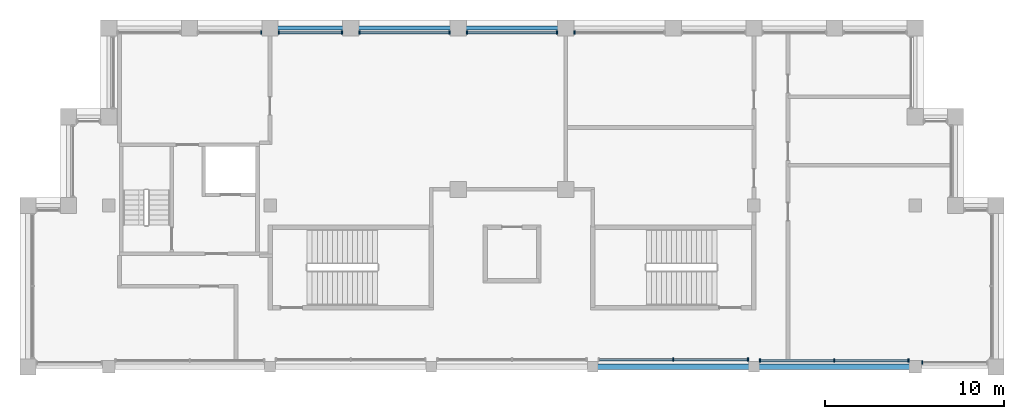
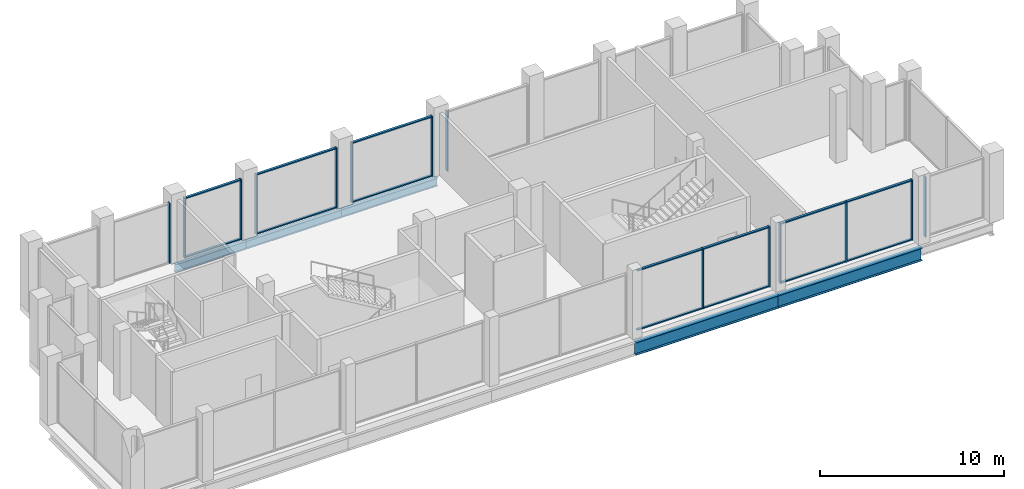
# One storey, part 3 of 8: 28 members, 5 beams, 8 elements without a shape of their own.
"""IFC4 building model written with IfcOpenShell, lengths in metres."""

import ifcopenshell
import ifcopenshell.guid

model = None  # the IFC model being written
_history = None  # IfcOwnerHistory: only IFC2X3 demands one
_inside = {}  # id of a spatial element -> (the spatial element, [elements in it])
_under = {}  # id of a project, library or spatial element -> (it, [spatial elements below it])
_declared = {}  # id of a project -> (the project, [libraries it declares])
_typed = {}  # id of a type object -> (the type object, [elements of that type])
_made_of = {}  # id of a material, layer set ... -> (it, [elements and type objects made of it])


def new_model(schema):
    """Start an empty IFC model of exactly this schema.

    Asked for "IFC4X3", IfcOpenShell would pick the latest addendum, in which some entities
    have other attributes; the version numbers below select the first issue.
    IFC2X3 requires an IfcOwnerHistory on every rooted entity: one is made here for all.
    """
    global model, _history
    if schema == "IFC4X3":
        model = ifcopenshell.file(schema_version=(4, 3, 0, 0))
    else:
        model = ifcopenshell.file(schema=schema)
    _inside.clear()
    _under.clear()
    _declared.clear()
    _typed.clear()
    _made_of.clear()
    _history = None
    if model.schema == "IFC2X3":
        org = make("IfcOrganization", Name="unknown")
        user = make(
            "IfcPersonAndOrganization",
            ThePerson=make("IfcPerson", FamilyName="unknown"),
            TheOrganization=org,
        )
        app = make(
            "IfcApplication",
            ApplicationDeveloper=org,
            Version="unknown",
            ApplicationFullName="unknown",
            ApplicationIdentifier="unknown",
        )
        _history = make(
            "IfcOwnerHistory",
            OwningUser=user,
            OwningApplication=app,
            ChangeAction="ADDED",
            CreationDate=0,
        )
    return model


def make(cls, **values):
    """One entity of the class cls with the attributes given. An attribute that is None is left unset."""
    return model.create_entity(
        cls, **{name: value for name, value in values.items() if value is not None}
    )


def rooted(cls, **values):
    """An entity with a GlobalId (a new one), such as an element, a storey or a relation."""
    return make(cls, GlobalId=ifcopenshell.guid.new(), OwnerHistory=_history, **values)


def si_unit(unit_type, name, prefix=None):
    """IfcSIUnit, for example si_unit("LENGTHUNIT", "METRE", prefix="MILLI")."""
    return make("IfcSIUnit", UnitType=unit_type, Prefix=prefix, Name=name)


def assignment(units):
    """IfcUnitAssignment: the units of a project."""
    return None if units is None else make("IfcUnitAssignment", Units=units)


def point(xyz):
    """IfcCartesianPoint."""
    return None if xyz is None else make("IfcCartesianPoint", Coordinates=xyz)


def direction(xyz):
    """IfcDirection."""
    return None if xyz is None else make("IfcDirection", DirectionRatios=xyz)


def frame(location, z_axis=None, x_axis=None):
    """IfcAxis2Placement3D, a coordinate frame: its origin and axes. An axis left out is left unset."""
    return make(
        "IfcAxis2Placement3D",
        Location=point(location),
        Axis=direction(z_axis),
        RefDirection=direction(x_axis),
    )


def frame_2d(location, x_axis=None):
    """IfcAxis2Placement2D, a coordinate frame in the plane: its origin and x axis."""
    return make(
        "IfcAxis2Placement2D", Location=point(location), RefDirection=direction(x_axis)
    )


def origin():
    """The frame at (0, 0, 0) with its axes left unset."""
    return frame((0.0, 0.0, 0.0))


def origin_2d():
    """The frame at (0, 0) in the plane with its x axis left unset."""
    return frame_2d((0.0, 0.0))


def place(relative_to, where):
    """IfcLocalPlacement: puts the frame where relative to a parent placement (None: the world)."""
    return make(
        "IfcLocalPlacement", PlacementRelTo=relative_to, RelativePlacement=where
    )


def context(
    kind, dimensions, precision=None, world=None, true_north=None, identifier=None
):
    """IfcGeometricRepresentationContext, for example the 3D "Model" context."""
    return make(
        "IfcGeometricRepresentationContext",
        ContextIdentifier=identifier,
        ContextType=kind,
        CoordinateSpaceDimension=dimensions,
        Precision=precision,
        WorldCoordinateSystem=world,
        TrueNorth=true_north,
    )


def subcontext(parent, identifier, kind, view, scale=None):
    """IfcGeometricRepresentationSubContext, for example "Body" below "Model"."""
    return make(
        "IfcGeometricRepresentationSubContext",
        ContextIdentifier=identifier,
        ContextType=kind,
        ParentContext=parent,
        TargetScale=scale,
        TargetView=view,
    )


def project(units=None, contexts=None):
    """IfcProject with its units and contexts."""
    return rooted(
        "IfcProject",
        Name="project",
        RepresentationContexts=contexts,
        UnitsInContext=assignment(units),
    )


def spatial(cls, under=None, at=None, **own):
    """A site, building, storey or space (cls), placed at a placement, below another one or the project."""
    s = rooted(cls, ObjectPlacement=at, **own)
    if under is not None:
        _under.setdefault(under.id(), (under, []))[1].append(s)
    return s


def profile(cls, at=None, kind="AREA", **sizes):
    """A parametric profile (cls). Its sizes go by their IFC names, for example OverallWidth=200.0."""
    return make(cls, ProfileType=kind, Position=at, **sizes)


def rectangle(**sizes):
    """IfcRectangleProfileDef."""
    return profile("IfcRectangleProfileDef", **sizes)


def i_section(**sizes):
    """IfcIShapeProfileDef."""
    return profile("IfcIShapeProfileDef", **sizes)


def extrude(swept, where, along, depth):
    """IfcExtrudedAreaSolid: the profile swept, set in the frame where, extruded along a direction by depth."""
    return make(
        "IfcExtrudedAreaSolid",
        SweptArea=swept,
        Position=where,
        ExtrudedDirection=direction(along),
        Depth=depth,
    )


def shape(context_of_items, identifier, shape_type, items):
    """IfcShapeRepresentation: the items that make up one representation, for example the "Body"."""
    return make(
        "IfcShapeRepresentation",
        ContextOfItems=context_of_items,
        RepresentationIdentifier=identifier,
        RepresentationType=shape_type,
        Items=items,
    )


def material(Name=None, Category=None):
    """IfcMaterial."""
    return make("IfcMaterial", Name=Name, Category=Category)


def layer(
    of_material, thickness, ventilated=None, Name=None, Category=None, Priority=None
):
    """IfcMaterialLayer: one layer of a wall or slab, of a material (None: an air gap)."""
    return make(
        "IfcMaterialLayer",
        Material=of_material,
        LayerThickness=thickness,
        IsVentilated=ventilated,
        Name=Name,
        Category=Category,
        Priority=Priority,
    )


def layer_set(layers, Name=None):
    """IfcMaterialLayerSet."""
    return make("IfcMaterialLayerSet", MaterialLayers=layers, LayerSetName=Name)


def material_profile(
    of_material, cross_section, Name=None, Category=None, Priority=None
):
    """IfcMaterialProfile: a cross section and its material."""
    return make(
        "IfcMaterialProfile",
        Name=Name,
        Material=of_material,
        Profile=cross_section,
        Priority=Priority,
        Category=Category,
    )


def profile_set(profiles, Name=None, composite=None):
    """IfcMaterialProfileSet."""
    return make(
        "IfcMaterialProfileSet",
        Name=Name,
        MaterialProfiles=profiles,
        CompositeProfile=composite,
    )


def made_of(thing, what):
    """Note that an element or type object is made of a material, layer set ...; save() writes the relation."""
    if what is not None:
        _made_of.setdefault(what.id(), (what, []))[1].append(thing)
    return thing


def type_object(cls, material=None, **own):
    """A type object (cls), such as IfcWallType, which elements share."""
    return made_of(rooted(cls, **own), material)


def element(
    cls,
    number,
    at=None,
    inside=None,
    cuts=None,
    type_object=None,
    material=None,
    context=None,
    identifier="Body",
    shape_type=None,
    held_by="IfcProductDefinitionShape",
    body=None,
    shapes=None,
    **own,
):
    """One element of the class cls, such as IfcWall. Its Tag is "e" and its number.

    at: its placement. inside: the storey or other place that contains it. cuts: it is an
    opening in that element (IfcRelVoidsElement). A single representation is given by context,
    identifier, shape_type and body (its items); several are given by shapes. held_by: the class
    of the entity that holds the representations. save() writes the other relations.
    """
    e = rooted(cls, Tag="e%d" % number, ObjectPlacement=at, **own)
    if body is not None:
        shapes = [shape(context, identifier, shape_type, body)]
    if shapes is not None:
        e.Representation = make(held_by, Representations=shapes)
    if inside is not None:
        _inside.setdefault(inside.id(), (inside, []))[1].append(e)
    if cuts is not None:
        rooted(
            "IfcRelVoidsElement", RelatingBuildingElement=cuts, RelatedOpeningElement=e
        )
    if type_object is not None:
        _typed.setdefault(type_object.id(), (type_object, []))[1].append(e)
    return made_of(e, material)


def aggregate(whole, parts):
    """IfcRelAggregates: a whole, such as a stair, and the parts it consists of."""
    return rooted("IfcRelAggregates", RelatingObject=whole, RelatedObjects=parts)


def save(model, path):
    """Write the relations noted so far, then the file.

    IfcRelAggregates (storeys below a building ...), IfcRelContainedInSpatialStructure (elements
    in a storey), IfcRelDefinesByType, IfcRelAssociatesMaterial and IfcRelDeclares: one each for
    every whole, place, type object, material and project.
    """
    for whole, parts in _under.values():
        aggregate(whole, parts)
    for where, things in _inside.values():
        rooted(
            "IfcRelContainedInSpatialStructure",
            RelatedElements=things,
            RelatingStructure=where,
        )
    for kind, things in _typed.values():
        rooted("IfcRelDefinesByType", RelatedObjects=things, RelatingType=kind)
    for what, things in _made_of.values():
        rooted("IfcRelAssociatesMaterial", RelatedObjects=things, RelatingMaterial=what)
    for by, libraries in _declared.values():
        rooted("IfcRelDeclares", RelatingContext=by, RelatedDefinitions=libraries)
    model.write(path)


model = new_model("IFC4")

# Units and contexts
model_context = context("Model", 3, precision=1e-05, world=origin(), true_north=direction((0.0, 1.0)))
body_context = subcontext(model_context, "Body", "Model", "MODEL_VIEW")
ifc_project = project(units=[si_unit("LENGTHUNIT", "METRE"), si_unit("AREAUNIT", "SQUARE_METRE"), si_unit("VOLUMEUNIT", "CUBIC_METRE"), si_unit("PLANEANGLEUNIT", "RADIAN"), si_unit("MASSUNIT", "GRAM", prefix="KILO")], contexts=[model_context])

# Site, building, storey
site_placement = place(None, origin())
site = spatial("IfcSite", under=ifc_project, at=site_placement, CompositionType="ELEMENT")
building_placement = place(site_placement, origin())
building = spatial("IfcBuilding", under=site, at=building_placement, Name="Corbelhall Arena Tower", CompositionType="ELEMENT")
storey_placement = place(building_placement, frame((0.0, 0.0, 381.0)))
storey = spatial("IfcBuildingStorey", under=building, at=storey_placement, Name="L82", CompositionType="ELEMENT", Elevation=381.0)

# Curtain wall, members
ifc_material_1 = material(Name="Aluminium black anodised", Category="aluminium")
ifc_layer = layer(ifc_material_1, 0.179931640625)
ifc_layer_set = layer_set([ifc_layer], Name="EV-CW3 Crown glazing")
curtain_wall_type = type_object("IfcCurtainWallType", Name="EV-CW3 Crown glazing", PredefinedType="NOTDEFINED", material=ifc_layer_set)
curtain_wall_1_placement = place(storey_placement, origin())
curtain_wall_1 = element("IfcCurtainWall", 1, at=curtain_wall_1_placement, inside=storey, type_object=curtain_wall_type, Name="Curtain wall CW3D", PredefinedType="NOTDEFINED")
ifc_material_profile_1 = material_profile(ifc_material_1, rectangle(XDim=0.199951171875, YDim=0.074951171875, at=origin_2d()))
ifc_profile_set_1 = profile_set([ifc_material_profile_1], Name="Aluminium black anodised")
member_type_1 = type_object("IfcMemberType", Name="EV-CW3-MULLION", PredefinedType="MULLION", material=ifc_profile_set_1)
member_1_placement = place(storey_placement, frame((9.0, 9.39990234375, 0.0), z_axis=(0.0, 0.0, 1.0), x_axis=(0.0, 1.0, 0.0)))
member_1 = element("IfcMember", 2, at=member_1_placement, type_object=member_type_1, Name="CW3D mullion 2", PredefinedType="MULLION", context=body_context, shape_type="SweptSolid", body=[
    extrude(rectangle(XDim=0.199951171875, YDim=0.074951171875, at=origin_2d()), origin(), (0.0, 0.0, 1.0), 3.99951171875),
])
member_2_placement = place(storey_placement, frame((13.16259765625, 9.39990234375, 0.0), z_axis=(0.0, 0.0, 1.0), x_axis=(0.0, 1.0, 0.0)))
member_2 = element("IfcMember", 3, at=member_2_placement, type_object=member_type_1, Name="CW3D mullion 3", PredefinedType="MULLION", context=body_context, shape_type="SweptSolid", body=[
    extrude(rectangle(XDim=0.199951171875, YDim=0.074951171875, at=origin_2d()), origin(), (0.0, 0.0, 1.0), 3.99951171875),
])

curtain_wall_2_placement = place(storey_placement, origin())
curtain_wall_2 = element("IfcCurtainWall", 4, at=curtain_wall_2_placement, inside=storey, type_object=curtain_wall_type, Name="Curtain wall CW3F", PredefinedType="NOTDEFINED")
member_3_placement = place(storey_placement, frame((13.83740234375, 9.35009765625, 0.0), z_axis=(0.0, 0.0, 1.0), x_axis=(0.0, 1.0, 0.0)))
member_3 = element("IfcMember", 5, at=member_3_placement, type_object=member_type_1, Name="CW3F mullion 1", PredefinedType="MULLION", context=body_context, shape_type="SweptSolid", body=[
    extrude(rectangle(XDim=0.199951171875, YDim=0.074951171875, at=origin_2d()), origin(), (0.0, 0.0, 1.0), 3.99951171875),
])
member_4_placement = place(storey_placement, frame((17.97509765625, 9.35009765625, 0.0), z_axis=(0.0, 0.0, 1.0), x_axis=(0.0, 1.0, 0.0)))
member_4 = element("IfcMember", 6, at=member_4_placement, type_object=member_type_1, Name="CW3F mullion 2", PredefinedType="MULLION", context=body_context, shape_type="SweptSolid", body=[
    extrude(rectangle(XDim=0.199951171875, YDim=0.074951171875, at=origin_2d()), origin(), (0.0, 0.0, 1.0), 3.99951171875),
])
member_5_placement = place(storey_placement, frame((22.112548828125, 9.35009765625, 0.0), z_axis=(0.0, 0.0, 1.0), x_axis=(0.0, 1.0, 0.0)))
member_5 = element("IfcMember", 7, at=member_5_placement, type_object=member_type_1, Name="CW3F mullion 3", PredefinedType="MULLION", context=body_context, shape_type="SweptSolid", body=[
    extrude(rectangle(XDim=0.199951171875, YDim=0.074951171875, at=origin_2d()), origin(), (0.0, 0.0, 1.0), 3.99951171875),
])

# Curtain wall, member
curtain_wall_3_placement = place(storey_placement, origin())
curtain_wall_3 = element("IfcCurtainWall", 8, at=curtain_wall_3_placement, inside=storey, type_object=curtain_wall_type, Name="Curtain wall CW3E", PredefinedType="NOTDEFINED")
member_6_placement = place(storey_placement, frame((22.887451171875, 9.25, 0.0), z_axis=(0.0, 0.0, 1.0), x_axis=(0.0, 1.0, 0.0)))
member_6 = element("IfcMember", 9, at=member_6_placement, type_object=member_type_1, Name="CW3E mullion 1", PredefinedType="MULLION", context=body_context, shape_type="SweptSolid", body=[
    extrude(rectangle(XDim=0.199951171875, YDim=0.074951171875, at=origin_2d()), origin(), (0.0, 0.0, 1.0), 3.99951171875),
])
aggregate(curtain_wall_3, [member_6])

curtain_wall_4_placement = place(storey_placement, origin())
curtain_wall_4 = element("IfcCurtainWall", 10, at=curtain_wall_4_placement, inside=storey, type_object=curtain_wall_type, Name="Curtain wall CW3C", PredefinedType="NOTDEFINED")
member_7_placement = place(storey_placement, frame((3.487548828125, 27.64990234375, 0.0), z_axis=(0.0, 0.0, 1.0), x_axis=(0.0, -1.0, 0.0)))
member_7 = element("IfcMember", 11, at=member_7_placement, type_object=member_type_1, Name="CW3C mullion 2", PredefinedType="MULLION", context=body_context, shape_type="SweptSolid", body=[
    extrude(rectangle(XDim=0.199951171875, YDim=0.074951171875, at=origin_2d()), origin(), (0.0, 0.0, 1.0), 3.99951171875),
])
aggregate(curtain_wall_4, [member_7])

# Curtain wall, members
curtain_wall_5_placement = place(storey_placement, origin())
curtain_wall_5 = element("IfcCurtainWall", 12, at=curtain_wall_5_placement, inside=storey, type_object=curtain_wall_type, Name="Curtain wall CW3C", PredefinedType="NOTDEFINED")
member_8_placement = place(storey_placement, frame((2.512451171875, 27.64990234375, 0.0), z_axis=(0.0, 0.0, 1.0), x_axis=(0.0, -1.0, 0.0)))
member_8 = element("IfcMember", 13, at=member_8_placement, type_object=member_type_1, Name="CW3C mullion 1", PredefinedType="MULLION", context=body_context, shape_type="SweptSolid", body=[
    extrude(rectangle(XDim=0.199951171875, YDim=0.074951171875, at=origin_2d()), origin(), (0.0, 0.0, 1.0), 3.99951171875),
])
member_9_placement = place(storey_placement, frame((-2.512451171875, 27.64990234375, 0.0), z_axis=(0.0, 0.0, 1.0), x_axis=(0.0, -1.0, 0.0)))
member_9 = element("IfcMember", 14, at=member_9_placement, type_object=member_type_1, Name="CW3C mullion 2", PredefinedType="MULLION", context=body_context, shape_type="SweptSolid", body=[
    extrude(rectangle(XDim=0.199951171875, YDim=0.074951171875, at=origin_2d()), origin(), (0.0, 0.0, 1.0), 3.99951171875),
])

curtain_wall_6_placement = place(storey_placement, origin())
curtain_wall_6 = element("IfcCurtainWall", 15, at=curtain_wall_6_placement, inside=storey, type_object=curtain_wall_type, Name="Curtain wall CW3C", PredefinedType="NOTDEFINED")
member_10_placement = place(storey_placement, frame((-3.487548828125, 27.64990234375, 0.0), z_axis=(0.0, 0.0, 1.0), x_axis=(0.0, -1.0, 0.0)))
member_10 = element("IfcMember", 16, at=member_10_placement, type_object=member_type_1, Name="CW3C mullion 1", PredefinedType="MULLION", context=body_context, shape_type="SweptSolid", body=[
    extrude(rectangle(XDim=0.199951171875, YDim=0.074951171875, at=origin_2d()), origin(), (0.0, 0.0, 1.0), 3.99951171875),
])
member_11_placement = place(storey_placement, frame((-8.512451171875, 27.64990234375, 0.0), z_axis=(0.0, 0.0, 1.0), x_axis=(0.0, -1.0, 0.0)))
member_11 = element("IfcMember", 17, at=member_11_placement, type_object=member_type_1, Name="CW3C mullion 2", PredefinedType="MULLION", context=body_context, shape_type="SweptSolid", body=[
    extrude(rectangle(XDim=0.199951171875, YDim=0.074951171875, at=origin_2d()), origin(), (0.0, 0.0, 1.0), 3.99951171875),
])

curtain_wall_7_placement = place(storey_placement, origin())
curtain_wall_7 = element("IfcCurtainWall", 18, at=curtain_wall_7_placement, inside=storey, type_object=curtain_wall_type, Name="Curtain wall CW3A", PredefinedType="NOTDEFINED")
member_12_placement = place(storey_placement, frame((-9.487548828125, 27.64990234375, 0.0), z_axis=(0.0, 0.0, 1.0), x_axis=(0.0, -1.0, 0.0)))
member_12 = element("IfcMember", 19, at=member_12_placement, type_object=member_type_1, Name="CW3A mullion 1", PredefinedType="MULLION", context=body_context, shape_type="SweptSolid", body=[
    extrude(rectangle(XDim=0.199951171875, YDim=0.074951171875, at=origin_2d()), origin(), (0.0, 0.0, 1.0), 3.99951171875),
])
member_13_placement = place(storey_placement, frame((-13.012451171875, 27.64990234375, 0.0), z_axis=(0.0, 0.0, 1.0), x_axis=(0.0, -1.0, 0.0)))
member_13 = element("IfcMember", 20, at=member_13_placement, type_object=member_type_1, Name="CW3A mullion 2", PredefinedType="MULLION", context=body_context, shape_type="SweptSolid", body=[
    extrude(rectangle(XDim=0.199951171875, YDim=0.074951171875, at=origin_2d()), origin(), (0.0, 0.0, 1.0), 3.99951171875),
])

# Curtain wall, member
curtain_wall_8_placement = place(storey_placement, origin())
curtain_wall_8 = element("IfcCurtainWall", 21, at=curtain_wall_8_placement, inside=storey, type_object=curtain_wall_type, Name="Curtain wall CW3A", PredefinedType="NOTDEFINED")
member_14_placement = place(storey_placement, frame((-13.987548828125, 27.64990234375, 0.0), z_axis=(0.0, 0.0, 1.0), x_axis=(0.0, -1.0, 0.0)))
member_14 = element("IfcMember", 22, at=member_14_placement, type_object=member_type_1, Name="CW3A mullion 1", PredefinedType="MULLION", context=body_context, shape_type="SweptSolid", body=[
    extrude(rectangle(XDim=0.199951171875, YDim=0.074951171875, at=origin_2d()), origin(), (0.0, 0.0, 1.0), 3.99951171875),
])
aggregate(curtain_wall_8, [member_14])

# Member
ifc_material_profile_2 = material_profile(ifc_material_1, rectangle(XDim=0.14990234375, YDim=0.074951171875, at=origin_2d()))
ifc_profile_set_2 = profile_set([ifc_material_profile_2], Name="Aluminium black anodised")
member_type_2 = type_object("IfcMemberType", Name="EV-CW3-TRANSOM", PredefinedType="USERDEFINED", material=ifc_profile_set_2)
member_15_placement = place(storey_placement, frame((4.875, 9.39990234375, 0.03759765625), z_axis=(1.0, 0.0, 0.0), x_axis=(0.0, 1.0, 0.0)))
member_15 = element("IfcMember", 23, at=member_15_placement, type_object=member_type_2, Name="CW3D transom 1.1", ObjectType="transom", PredefinedType="USERDEFINED", context=body_context, shape_type="SweptSolid", body=[
    extrude(rectangle(XDim=0.14990234375, YDim=0.074951171875, at=origin_2d()), origin(), (0.0, 0.0, 1.0), 4.08740234375),
])

member_16_placement = place(storey_placement, frame((4.875, 9.39990234375, 3.962158203125), z_axis=(1.0, 0.0, 0.0), x_axis=(0.0, 1.0, 0.0)))
member_16 = element("IfcMember", 24, at=member_16_placement, type_object=member_type_2, Name="CW3D transom 1.2", ObjectType="transom", PredefinedType="USERDEFINED", context=body_context, shape_type="SweptSolid", body=[
    extrude(rectangle(XDim=0.14990234375, YDim=0.074951171875, at=origin_2d()), origin(), (0.0, 0.0, 1.0), 4.08740234375),
])

member_17_placement = place(storey_placement, frame((9.03759765625, 9.39990234375, 0.03759765625), z_axis=(1.0, 0.0, 0.0), x_axis=(0.0, 1.0, 0.0)))
member_17 = element("IfcMember", 25, at=member_17_placement, type_object=member_type_2, Name="CW3D transom 2.1", ObjectType="transom", PredefinedType="USERDEFINED", context=body_context, shape_type="SweptSolid", body=[
    extrude(rectangle(XDim=0.14990234375, YDim=0.074951171875, at=origin_2d()), origin(), (0.0, 0.0, 1.0), 4.08740234375),
])

member_18_placement = place(storey_placement, frame((9.03759765625, 9.39990234375, 3.962158203125), z_axis=(1.0, 0.0, 0.0), x_axis=(0.0, 1.0, 0.0)))
member_18 = element("IfcMember", 26, at=member_18_placement, type_object=member_type_2, Name="CW3D transom 2.2", ObjectType="transom", PredefinedType="USERDEFINED", context=body_context, shape_type="SweptSolid", body=[
    extrude(rectangle(XDim=0.14990234375, YDim=0.074951171875, at=origin_2d()), origin(), (0.0, 0.0, 1.0), 4.08740234375),
])

aggregate(curtain_wall_1, [member_1, member_2, member_15, member_16, member_17, member_18])

member_19_placement = place(storey_placement, frame((13.875, 9.35009765625, 0.03759765625), z_axis=(1.0, 0.0, 0.0), x_axis=(0.0, 1.0, 0.0)))
member_19 = element("IfcMember", 27, at=member_19_placement, type_object=member_type_2, Name="CW3F transom 1.1", ObjectType="transom", PredefinedType="USERDEFINED", context=body_context, shape_type="SweptSolid", body=[
    extrude(rectangle(XDim=0.14990234375, YDim=0.074951171875, at=origin_2d()), origin(), (0.0, 0.0, 1.0), 4.0625),
])

member_20_placement = place(storey_placement, frame((13.875, 9.35009765625, 3.962158203125), z_axis=(1.0, 0.0, 0.0), x_axis=(0.0, 1.0, 0.0)))
member_20 = element("IfcMember", 28, at=member_20_placement, type_object=member_type_2, Name="CW3F transom 1.2", ObjectType="transom", PredefinedType="USERDEFINED", context=body_context, shape_type="SweptSolid", body=[
    extrude(rectangle(XDim=0.14990234375, YDim=0.074951171875, at=origin_2d()), origin(), (0.0, 0.0, 1.0), 4.0625),
])

member_21_placement = place(storey_placement, frame((18.012451171875, 9.35009765625, 0.03759765625), z_axis=(1.0, 0.0, 0.0), x_axis=(0.0, 1.0, 0.0)))
member_21 = element("IfcMember", 29, at=member_21_placement, type_object=member_type_2, Name="CW3F transom 2.1", ObjectType="transom", PredefinedType="USERDEFINED", context=body_context, shape_type="SweptSolid", body=[
    extrude(rectangle(XDim=0.14990234375, YDim=0.074951171875, at=origin_2d()), origin(), (0.0, 0.0, 1.0), 4.0625),
])

member_22_placement = place(storey_placement, frame((18.012451171875, 9.35009765625, 3.962158203125), z_axis=(1.0, 0.0, 0.0), x_axis=(0.0, 1.0, 0.0)))
member_22 = element("IfcMember", 30, at=member_22_placement, type_object=member_type_2, Name="CW3F transom 2.2", ObjectType="transom", PredefinedType="USERDEFINED", context=body_context, shape_type="SweptSolid", body=[
    extrude(rectangle(XDim=0.14990234375, YDim=0.074951171875, at=origin_2d()), origin(), (0.0, 0.0, 1.0), 4.0625),
])

aggregate(curtain_wall_2, [member_3, member_4, member_5, member_19, member_20, member_21, member_22])

member_23_placement = place(storey_placement, frame((2.47509765625, 27.64990234375, 0.03759765625), z_axis=(-1.0, 0.0, 0.0), x_axis=(0.0, -1.0, 0.0)))
member_23 = element("IfcMember", 31, at=member_23_placement, type_object=member_type_2, Name="CW3C transom 1.1", ObjectType="transom", PredefinedType="USERDEFINED", context=body_context, shape_type="SweptSolid", body=[
    extrude(rectangle(XDim=0.14990234375, YDim=0.074951171875, at=origin_2d()), origin(), (0.0, 0.0, 1.0), 4.9501953125),
])

member_24_placement = place(storey_placement, frame((2.47509765625, 27.64990234375, 3.962158203125), z_axis=(-1.0, 0.0, 0.0), x_axis=(0.0, -1.0, 0.0)))
member_24 = element("IfcMember", 32, at=member_24_placement, type_object=member_type_2, Name="CW3C transom 1.2", ObjectType="transom", PredefinedType="USERDEFINED", context=body_context, shape_type="SweptSolid", body=[
    extrude(rectangle(XDim=0.14990234375, YDim=0.074951171875, at=origin_2d()), origin(), (0.0, 0.0, 1.0), 4.9501953125),
])

aggregate(curtain_wall_5, [member_8, member_9, member_23, member_24])

member_25_placement = place(storey_placement, frame((-3.52490234375, 27.64990234375, 0.03759765625), z_axis=(-1.0, 0.0, 0.0), x_axis=(0.0, -1.0, 0.0)))
member_25 = element("IfcMember", 33, at=member_25_placement, type_object=member_type_2, Name="CW3C transom 1.1", ObjectType="transom", PredefinedType="USERDEFINED", context=body_context, shape_type="SweptSolid", body=[
    extrude(rectangle(XDim=0.14990234375, YDim=0.074951171875, at=origin_2d()), origin(), (0.0, 0.0, 1.0), 4.9501953125),
])

member_26_placement = place(storey_placement, frame((-3.52490234375, 27.64990234375, 3.962158203125), z_axis=(-1.0, 0.0, 0.0), x_axis=(0.0, -1.0, 0.0)))
member_26 = element("IfcMember", 34, at=member_26_placement, type_object=member_type_2, Name="CW3C transom 1.2", ObjectType="transom", PredefinedType="USERDEFINED", context=body_context, shape_type="SweptSolid", body=[
    extrude(rectangle(XDim=0.14990234375, YDim=0.074951171875, at=origin_2d()), origin(), (0.0, 0.0, 1.0), 4.9501953125),
])

aggregate(curtain_wall_6, [member_10, member_11, member_25, member_26])

member_27_placement = place(storey_placement, frame((-9.52490234375, 27.64990234375, 0.03759765625), z_axis=(-1.0, 0.0, 0.0), x_axis=(0.0, -1.0, 0.0)))
member_27 = element("IfcMember", 35, at=member_27_placement, type_object=member_type_2, Name="CW3A transom 1.1", ObjectType="transom", PredefinedType="USERDEFINED", context=body_context, shape_type="SweptSolid", body=[
    extrude(rectangle(XDim=0.14990234375, YDim=0.074951171875, at=origin_2d()), origin(), (0.0, 0.0, 1.0), 3.4501953125),
])

member_28_placement = place(storey_placement, frame((-9.52490234375, 27.64990234375, 3.962158203125), z_axis=(-1.0, 0.0, 0.0), x_axis=(0.0, -1.0, 0.0)))
member_28 = element("IfcMember", 36, at=member_28_placement, type_object=member_type_2, Name="CW3A transom 1.2", ObjectType="transom", PredefinedType="USERDEFINED", context=body_context, shape_type="SweptSolid", body=[
    extrude(rectangle(XDim=0.14990234375, YDim=0.074951171875, at=origin_2d()), origin(), (0.0, 0.0, 1.0), 3.4501953125),
])

aggregate(curtain_wall_7, [member_12, member_13, member_27, member_28])

# Beams
ifc_material_2 = material(Name="Steel ASTM A992 Gr50", Category="steel")
ifc_material_profile_3 = material_profile(ifc_material_2, i_section(OverallWidth=0.2099609375, OverallDepth=0.535888671875, WebThickness=0.010986328125, FlangeThickness=0.017333984375, at=origin_2d()))
ifc_profile_set_3 = profile_set([ifc_material_profile_3], Name="Steel ASTM A992 Gr50")
beam_type_1 = type_object("IfcBeamType", Name="ST-SPANDREL-W21x68", PredefinedType="SPANDREL", material=ifc_profile_set_3)
for number, where, z_axis, x_axis, name in (
    (37, (-3.0, 27.89990234375, -0.66845703125), (1.0, 0.0, 0.0), (0.0, 1.0, 0.0), "Beam SP 14"),
    (38, (-9.0, 27.89990234375, -0.66845703125), (1.0, 0.0, 0.0), (0.0, 1.0, 0.0), "Beam SP 15"),
):
    element("IfcBeam", number, at=place(storey_placement, frame(where, z_axis=z_axis, x_axis=x_axis)), inside=storey, type_object=beam_type_1, Name=name, PredefinedType="SPANDREL", context=body_context, shape_type="SweptSolid", body=[
        extrude(i_section(OverallWidth=0.2099609375, OverallDepth=0.535888671875, WebThickness=0.010986328125, FlangeThickness=0.017333984375, at=origin_2d()), origin(), (0.0, 0.0, 1.0), 6.0),
    ])
beam_placement = place(storey_placement, frame((-13.5, 27.89990234375, -0.66845703125), z_axis=(1.0, 0.0, 0.0), x_axis=(0.0, 1.0, 0.0)))
element("IfcBeam", 39, at=beam_placement, inside=storey, type_object=beam_type_1, Name="Beam SP 16", PredefinedType="SPANDREL", context=body_context, shape_type="SweptSolid", body=[
    extrude(i_section(OverallWidth=0.2099609375, OverallDepth=0.535888671875, WebThickness=0.010986328125, FlangeThickness=0.017333984375, at=origin_2d()), origin(), (0.0, 0.0, 1.0), 4.5),
])
ifc_material_profile_4 = material_profile(ifc_material_2, i_section(OverallWidth=0.2919921875, OverallDepth=0.845703125, WebThickness=0.015380859375, FlangeThickness=0.0244140625, at=origin_2d()))
ifc_profile_set_4 = profile_set([ifc_material_profile_4], Name="Steel ASTM A992 Gr50")
beam_type_2 = type_object("IfcBeamType", Name="ST-SPANDREL-W33x141", PredefinedType="SPANDREL", material=ifc_profile_set_4)
for number, where, z_axis, x_axis, name in (
    (40, (22.5, 9.0, -0.8232421875), (-1.0, 0.0, 0.0), (0.0, -1.0, 0.0), "Beam SP 1"),
    (41, (13.5, 9.0, -0.8232421875), (-1.0, 0.0, 0.0), (0.0, -1.0, 0.0), "Beam SP 4"),
):
    element("IfcBeam", number, at=place(storey_placement, frame(where, z_axis=z_axis, x_axis=x_axis)), inside=storey, type_object=beam_type_2, Name=name, PredefinedType="SPANDREL", context=body_context, shape_type="SweptSolid", body=[
        extrude(i_section(OverallWidth=0.2919921875, OverallDepth=0.845703125, WebThickness=0.015380859375, FlangeThickness=0.0244140625, at=origin_2d()), origin(), (0.0, 0.0, 1.0), 9.0),
    ])

save(model, "model.ifc")
